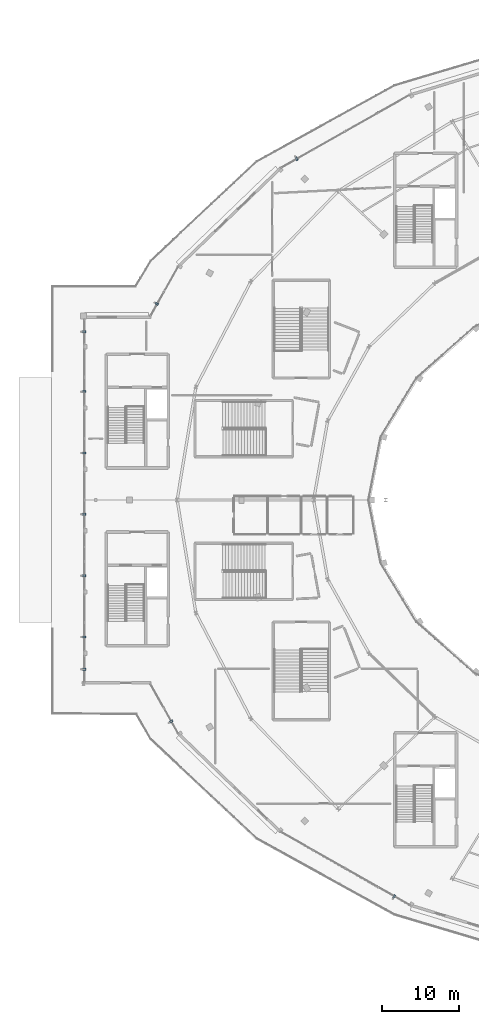
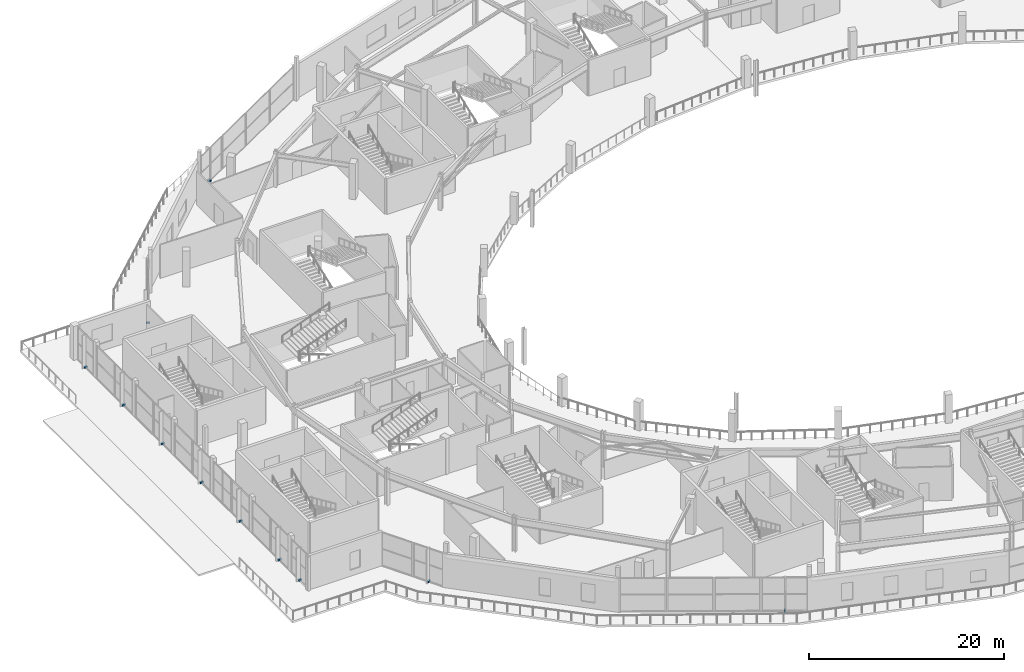
# One storey, part 98 of 123: 11 discrete accessories.
"""IFC4 building model written with IfcOpenShell, lengths in metres."""

from ifc_helpers import new_model, si_unit, direction, frame, origin, origin_2d, place, context, subcontext, project, spatial, rectangle, extrude, material, type_object, element, save


model = new_model("IFC4")

# Units and contexts
model_context = context("Model", 3, precision=1e-05, world=origin(), true_north=direction((0.0, 1.0)))
body_context = subcontext(model_context, "Body", "Model", "MODEL_VIEW")
ifc_project = project(units=[si_unit("LENGTHUNIT", "METRE"), si_unit("AREAUNIT", "SQUARE_METRE"), si_unit("VOLUMEUNIT", "CUBIC_METRE"), si_unit("PLANEANGLEUNIT", "RADIAN"), si_unit("MASSUNIT", "GRAM", prefix="KILO")], contexts=[model_context])

# Site, building, storey
site_placement = place(None, origin())
site = spatial("IfcSite", under=ifc_project, at=site_placement, CompositionType="ELEMENT")
building_placement = place(site_placement, origin())
building = spatial("IfcBuilding", under=site, at=building_placement, Name="Kalgoora Escarpment Arena", CompositionType="ELEMENT")
storey_placement = place(building_placement, frame((0.0, 0.0, 9.89990234375)))
storey = spatial("IfcBuildingStorey", under=building, at=storey_placement, Name="L02", CompositionType="ELEMENT", Elevation=9.89990234375)

# Discrete accessories
ifc_material = material(Name="Structural steel Grade 350 (350 MPa)", Category="steel")
discrete_accessory_type = type_object("IfcDiscreteAccessoryType", Name="ACC-BRACKET-FIN", PredefinedType="BRACKET", material=ifc_material)
for number, where, z_axis, x_axis, name in (
    (1, (48.887939453125, 12.2890625, 0.0), (0.0, 0.0, 1.0), (-0.493334724289, -0.869839554062, 0.0), "L02 solar fin support bracket 07"),
    (2, (19.822021484375, 35.1181640625, 0.0), (0.0, 0.0, 1.0), (-0.872325392932, -0.488925770283, 0.0), "L02 solar fin support bracket 08"),
    (3, (8.47998046875, 41.938232421875, 0.0), (0.0, 0.0, 1.0), (-1.0, 0.0, 0.0), "L02 solar fin support bracket 09"),
    (4, (8.47998046875, 46.132080078125, 0.0), (0.0, 0.0, 1.0), (-1.0, 0.0, 0.0), "L02 solar fin support bracket 10"),
    (5, (8.47998046875, 54.132080078125, 0.0), (0.0, 0.0, 1.0), (-1.0, 0.0, 0.0), "L02 solar fin support bracket 11"),
    (6, (8.47998046875, 62.132080078125, 0.0), (0.0, 0.0, 1.0), (-1.0, 0.0, 0.0), "L02 solar fin support bracket 12"),
    (7, (8.47998046875, 70.132080078125, 0.0), (0.0, 0.0, 1.0), (-1.0, 0.0, 0.0), "L02 solar fin support bracket 13"),
    (8, (8.47998046875, 78.132080078125, 0.0), (0.0, 0.0, 1.0), (-1.0, 0.0, 0.0), "L02 solar fin support bracket 14"),
    (9, (8.47998046875, 85.945556640625, 0.0), (0.0, 0.0, 1.0), (-1.0, 0.0, 0.0), "L02 solar fin support bracket 15"),
    (10, (17.96728515625, 89.572265625, 0.0), (0.0, 0.0, 1.0), (-0.872325392932, 0.488925770283, 0.0), "L02 solar fin support bracket 16"),
    (11, (36.1748046875, 108.50048828125, 0.0), (0.0, 0.0, 1.0), (-0.493334724289, 0.869839554062, 0.0), "L02 solar fin support bracket 17"),
):
    element("IfcDiscreteAccessory", number, at=place(storey_placement, frame(where, z_axis=z_axis, x_axis=x_axis)), inside=storey, type_object=discrete_accessory_type, Name=name, PredefinedType="BRACKET", context=body_context, shape_type="SweptSolid", body=[
        extrude(rectangle(XDim=0.419921875, YDim=0.219970703125, at=origin_2d()), origin(), (0.0, 0.0, 1.0), 0.199951171875),
    ])

save(model, "model.ifc")
